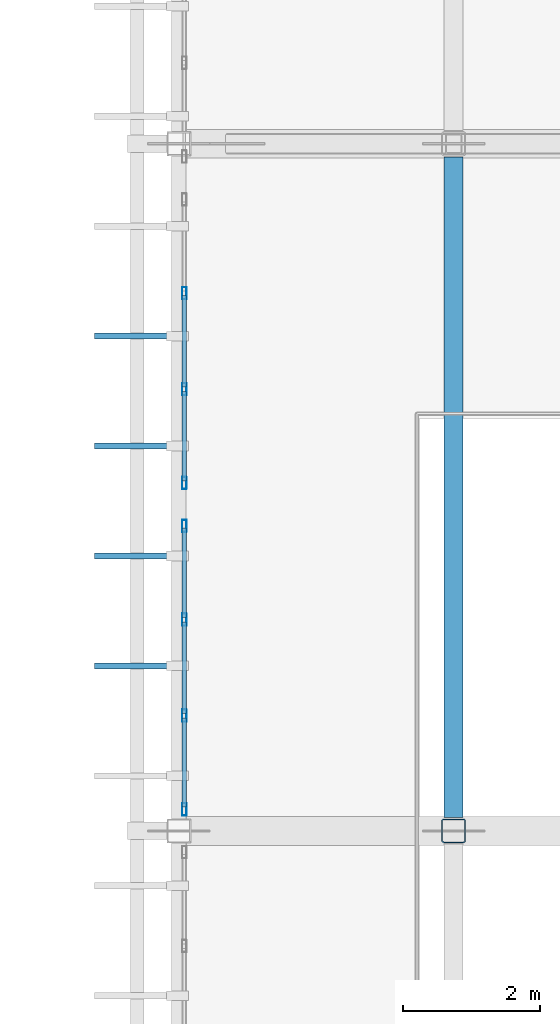
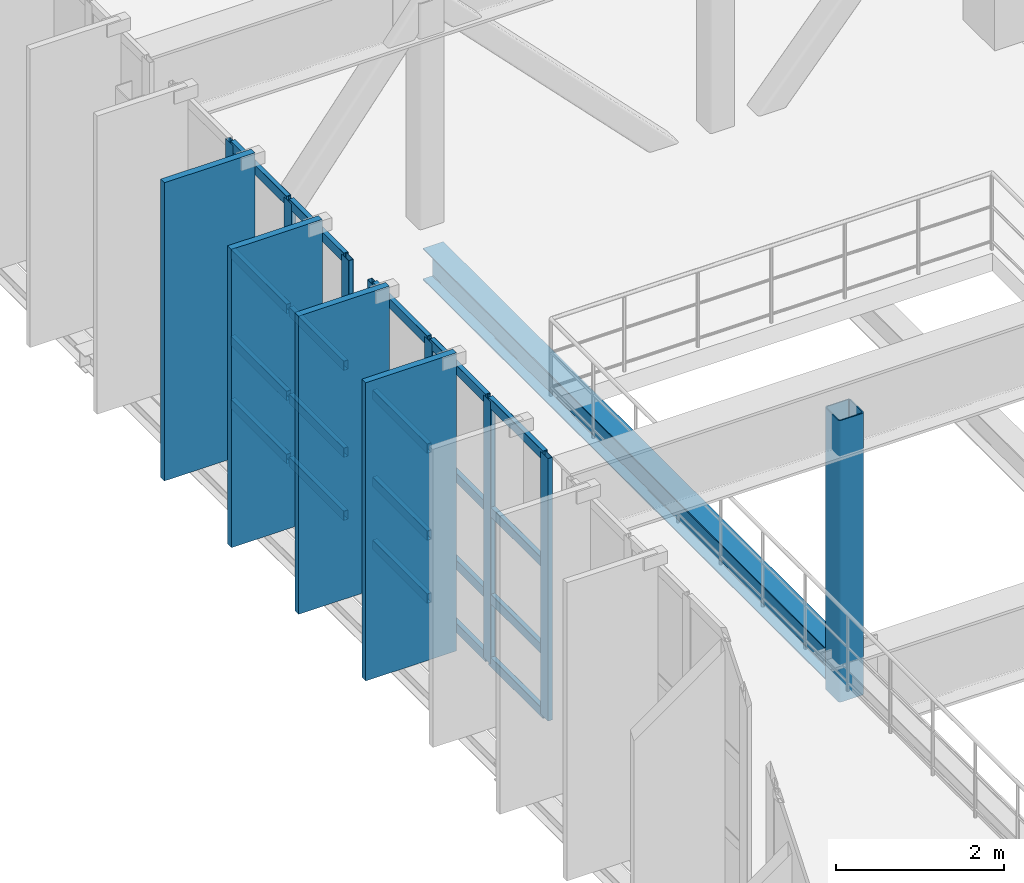
# One storey, part 37 of 130: 32 members, 1 beam, 2 elements without a shape of their own.
"""IFC4 building model written with IfcOpenShell, lengths in metres."""

from ifc_helpers import new_model, si_unit, direction, frame, origin, origin_2d, place, context, subcontext, project, spatial, rectangle, hollow_rectangle, i_section, extrude, material, material_profile, profile_set, type_object, element, aggregate, save


model = new_model("IFC4")

# Units and contexts
model_context = context("Model", 3, precision=1e-05, world=origin(), true_north=direction((0.0, 1.0)))
body_context = subcontext(model_context, "Body", "Model", "MODEL_VIEW")
ifc_project = project(units=[si_unit("LENGTHUNIT", "METRE"), si_unit("AREAUNIT", "SQUARE_METRE"), si_unit("VOLUMEUNIT", "CUBIC_METRE"), si_unit("PLANEANGLEUNIT", "RADIAN"), si_unit("MASSUNIT", "GRAM", prefix="KILO")], contexts=[model_context])

# Site, building, storey
site_placement = place(None, origin())
site = spatial("IfcSite", under=ifc_project, at=site_placement, CompositionType="ELEMENT")
building_placement = place(site_placement, origin())
building = spatial("IfcBuilding", under=site, at=building_placement, Name="Miravela Opera House", CompositionType="ELEMENT")
storey_placement = place(building_placement, frame((0.0, 0.0, 9.52001953125)))
storey = spatial("IfcBuildingStorey", under=building, at=storey_placement, Name="L02", CompositionType="ELEMENT", Elevation=9.52001953125)

# Curtain wall, members
ifc_material_1 = material(Name="Anodised architectural bronze aluminium 6063-T6", Category="aluminium")
curtain_wall_type = type_object("IfcCurtainWallType", Name="ARC-CW-02", PredefinedType="NOTDEFINED", material=ifc_material_1)
curtain_wall_1_placement = place(storey_placement, origin())
curtain_wall_1 = element("IfcCurtainWall", 1, at=curtain_wall_1_placement, inside=storey, type_object=curtain_wall_type, Name="Cantilever West Wrapper Glazing B5 CW-L02-011", PredefinedType="NOTDEFINED")
ifc_material_profile_1 = material_profile(ifc_material_1, hollow_rectangle(XDim=0.06494140625, YDim=0.179931640625, WallThickness=0.00390625, InnerFilletRadius=0.001953125, OuterFilletRadius=0.00390625, at=origin_2d()), Name="CWM-65X180")
ifc_profile_set_1 = profile_set([ifc_material_profile_1])
member_type_1 = type_object("IfcMemberType", Name="ARC-CWM-180", PredefinedType="MULLION", material=ifc_profile_set_1)
member_1_placement = place(storey_placement, frame((15.080078125, 56.3125, 0.0), z_axis=(0.0, 0.0, 1.0), x_axis=(-1.0, 0.0, 0.0)))
member_1 = element("IfcMember", 2, at=member_1_placement, type_object=member_type_1, Name="CW-02 mullion 1", PredefinedType="MULLION", context=body_context, shape_type="SweptSolid", body=[
    extrude(hollow_rectangle(XDim=0.06494140625, YDim=0.179931640625, WallThickness=0.00390625, InnerFilletRadius=0.001953125, OuterFilletRadius=0.00390625, at=origin_2d()), origin(), (0.0, 0.0, 1.0), 3.820068359375),
])
member_2_placement = place(storey_placement, frame((15.080078125, 57.6767578125, 0.0), z_axis=(0.0, 0.0, 1.0), x_axis=(-1.0, 0.0, 0.0)))
member_2 = element("IfcMember", 3, at=member_2_placement, type_object=member_type_1, Name="CW-02 mullion 2", PredefinedType="MULLION", context=body_context, shape_type="SweptSolid", body=[
    extrude(hollow_rectangle(XDim=0.06494140625, YDim=0.179931640625, WallThickness=0.00390625, InnerFilletRadius=0.001953125, OuterFilletRadius=0.00390625, at=origin_2d()), origin(), (0.0, 0.0, 1.0), 3.820068359375),
])
member_3_placement = place(storey_placement, frame((15.080078125, 59.0732421875, 0.0), z_axis=(0.0, 0.0, 1.0), x_axis=(-1.0, 0.0, 0.0)))
member_3 = element("IfcMember", 4, at=member_3_placement, type_object=member_type_1, Name="CW-02 mullion 3", PredefinedType="MULLION", context=body_context, shape_type="SweptSolid", body=[
    extrude(hollow_rectangle(XDim=0.06494140625, YDim=0.179931640625, WallThickness=0.00390625, InnerFilletRadius=0.001953125, OuterFilletRadius=0.00390625, at=origin_2d()), origin(), (0.0, 0.0, 1.0), 3.820068359375),
])
member_4_placement = place(storey_placement, frame((15.080078125, 60.4375, 0.0), z_axis=(0.0, 0.0, 1.0), x_axis=(-1.0, 0.0, 0.0)))
member_4 = element("IfcMember", 5, at=member_4_placement, type_object=member_type_1, Name="CW-02 mullion 4", PredefinedType="MULLION", context=body_context, shape_type="SweptSolid", body=[
    extrude(hollow_rectangle(XDim=0.06494140625, YDim=0.179931640625, WallThickness=0.00390625, InnerFilletRadius=0.001953125, OuterFilletRadius=0.00390625, at=origin_2d()), origin(), (0.0, 0.0, 1.0), 3.820068359375),
])

curtain_wall_2_placement = place(storey_placement, origin())
curtain_wall_2 = element("IfcCurtainWall", 6, at=curtain_wall_2_placement, inside=storey, type_object=curtain_wall_type, Name="Cantilever West Wrapper Glazing B6 CW-L02-012", PredefinedType="NOTDEFINED")
member_5_placement = place(storey_placement, frame((15.080078125, 61.0625, 0.0), z_axis=(0.0, 0.0, 1.0), x_axis=(-1.0, 0.0, 0.0)))
member_5 = element("IfcMember", 7, at=member_5_placement, type_object=member_type_1, Name="CW-02 mullion 1", PredefinedType="MULLION", context=body_context, shape_type="SweptSolid", body=[
    extrude(hollow_rectangle(XDim=0.06494140625, YDim=0.179931640625, WallThickness=0.00390625, InnerFilletRadius=0.001953125, OuterFilletRadius=0.00390625, at=origin_2d()), origin(), (0.0, 0.0, 1.0), 3.820068359375),
])
member_6_placement = place(storey_placement, frame((15.080078125, 62.4267578125, 0.0), z_axis=(0.0, 0.0, 1.0), x_axis=(-1.0, 0.0, 0.0)))
member_6 = element("IfcMember", 8, at=member_6_placement, type_object=member_type_1, Name="CW-02 mullion 2", PredefinedType="MULLION", context=body_context, shape_type="SweptSolid", body=[
    extrude(hollow_rectangle(XDim=0.06494140625, YDim=0.179931640625, WallThickness=0.00390625, InnerFilletRadius=0.001953125, OuterFilletRadius=0.00390625, at=origin_2d()), origin(), (0.0, 0.0, 1.0), 3.820068359375),
])
member_7_placement = place(storey_placement, frame((15.080078125, 63.8232421875, 0.0), z_axis=(0.0, 0.0, 1.0), x_axis=(-1.0, 0.0, 0.0)))
member_7 = element("IfcMember", 9, at=member_7_placement, type_object=member_type_1, Name="CW-02 mullion 3", PredefinedType="MULLION", context=body_context, shape_type="SweptSolid", body=[
    extrude(hollow_rectangle(XDim=0.06494140625, YDim=0.179931640625, WallThickness=0.00390625, InnerFilletRadius=0.001953125, OuterFilletRadius=0.00390625, at=origin_2d()), origin(), (0.0, 0.0, 1.0), 3.820068359375),
])

# Member
ifc_material_profile_2 = material_profile(ifc_material_1, hollow_rectangle(XDim=0.06494140625, YDim=0.139892578125, WallThickness=0.00390625, InnerFilletRadius=0.001953125, OuterFilletRadius=0.00390625, at=origin_2d()), Name="CWT-65X140")
ifc_profile_set_2 = profile_set([ifc_material_profile_2])
member_type_2 = type_object("IfcMemberType", Name="ARC-CWT-140", PredefinedType="USERDEFINED", material=ifc_profile_set_2)
member_8_placement = place(storey_placement, frame((15.080078125, 56.344970703125, 0.032470703125), z_axis=(0.0, 1.0, 0.0), x_axis=(-1.0, 0.0, 0.0)))
member_8 = element("IfcMember", 10, at=member_8_placement, type_object=member_type_2, Name="CW-02 transom 1.1", ObjectType="TRANSOM", PredefinedType="USERDEFINED", context=body_context, shape_type="SweptSolid", body=[
    extrude(hollow_rectangle(XDim=0.06494140625, YDim=0.139892578125, WallThickness=0.00390625, InnerFilletRadius=0.001953125, OuterFilletRadius=0.00390625, at=origin_2d()), origin(), (0.0, 0.0, 1.0), 1.29931640625),
])

member_9_placement = place(storey_placement, frame((15.080078125, 56.344970703125, 0.949951171875), z_axis=(0.0, 1.0, 0.0), x_axis=(-1.0, 0.0, 0.0)))
member_9 = element("IfcMember", 11, at=member_9_placement, type_object=member_type_2, Name="CW-02 transom 1.2", ObjectType="TRANSOM", PredefinedType="USERDEFINED", context=body_context, shape_type="SweptSolid", body=[
    extrude(hollow_rectangle(XDim=0.06494140625, YDim=0.139892578125, WallThickness=0.00390625, InnerFilletRadius=0.001953125, OuterFilletRadius=0.00390625, at=origin_2d()), origin(), (0.0, 0.0, 1.0), 1.29931640625),
])

member_10_placement = place(storey_placement, frame((15.080078125, 56.344970703125, 2.215576171875), z_axis=(0.0, 1.0, 0.0), x_axis=(-1.0, 0.0, 0.0)))
member_10 = element("IfcMember", 12, at=member_10_placement, type_object=member_type_2, Name="CW-02 transom 1.3", ObjectType="TRANSOM", PredefinedType="USERDEFINED", context=body_context, shape_type="SweptSolid", body=[
    extrude(hollow_rectangle(XDim=0.06494140625, YDim=0.139892578125, WallThickness=0.00390625, InnerFilletRadius=0.001953125, OuterFilletRadius=0.00390625, at=origin_2d()), origin(), (0.0, 0.0, 1.0), 1.29931640625),
])

member_11_placement = place(storey_placement, frame((15.080078125, 56.344970703125, 3.78759765625), z_axis=(0.0, 1.0, 0.0), x_axis=(-1.0, 0.0, 0.0)))
member_11 = element("IfcMember", 13, at=member_11_placement, type_object=member_type_2, Name="CW-02 transom 1.4", ObjectType="TRANSOM", PredefinedType="USERDEFINED", context=body_context, shape_type="SweptSolid", body=[
    extrude(hollow_rectangle(XDim=0.06494140625, YDim=0.139892578125, WallThickness=0.00390625, InnerFilletRadius=0.001953125, OuterFilletRadius=0.00390625, at=origin_2d()), origin(), (0.0, 0.0, 1.0), 1.29931640625),
])

member_12_placement = place(storey_placement, frame((15.080078125, 57.709228515625, 0.032470703125), z_axis=(0.0, 1.0, 0.0), x_axis=(-1.0, 0.0, 0.0)))
member_12 = element("IfcMember", 14, at=member_12_placement, type_object=member_type_2, Name="CW-02 transom 2.1", ObjectType="TRANSOM", PredefinedType="USERDEFINED", context=body_context, shape_type="SweptSolid", body=[
    extrude(hollow_rectangle(XDim=0.06494140625, YDim=0.139892578125, WallThickness=0.00390625, InnerFilletRadius=0.001953125, OuterFilletRadius=0.00390625, at=origin_2d()), origin(), (0.0, 0.0, 1.0), 1.33154296875),
])

member_13_placement = place(storey_placement, frame((15.080078125, 57.709228515625, 0.949951171875), z_axis=(0.0, 1.0, 0.0), x_axis=(-1.0, 0.0, 0.0)))
member_13 = element("IfcMember", 15, at=member_13_placement, type_object=member_type_2, Name="CW-02 transom 2.2", ObjectType="TRANSOM", PredefinedType="USERDEFINED", context=body_context, shape_type="SweptSolid", body=[
    extrude(hollow_rectangle(XDim=0.06494140625, YDim=0.139892578125, WallThickness=0.00390625, InnerFilletRadius=0.001953125, OuterFilletRadius=0.00390625, at=origin_2d()), origin(), (0.0, 0.0, 1.0), 1.33154296875),
])

member_14_placement = place(storey_placement, frame((15.080078125, 57.709228515625, 2.215576171875), z_axis=(0.0, 1.0, 0.0), x_axis=(-1.0, 0.0, 0.0)))
member_14 = element("IfcMember", 16, at=member_14_placement, type_object=member_type_2, Name="CW-02 transom 2.3", ObjectType="TRANSOM", PredefinedType="USERDEFINED", context=body_context, shape_type="SweptSolid", body=[
    extrude(hollow_rectangle(XDim=0.06494140625, YDim=0.139892578125, WallThickness=0.00390625, InnerFilletRadius=0.001953125, OuterFilletRadius=0.00390625, at=origin_2d()), origin(), (0.0, 0.0, 1.0), 1.33154296875),
])

member_15_placement = place(storey_placement, frame((15.080078125, 57.709228515625, 3.78759765625), z_axis=(0.0, 1.0, 0.0), x_axis=(-1.0, 0.0, 0.0)))
member_15 = element("IfcMember", 17, at=member_15_placement, type_object=member_type_2, Name="CW-02 transom 2.4", ObjectType="TRANSOM", PredefinedType="USERDEFINED", context=body_context, shape_type="SweptSolid", body=[
    extrude(hollow_rectangle(XDim=0.06494140625, YDim=0.139892578125, WallThickness=0.00390625, InnerFilletRadius=0.001953125, OuterFilletRadius=0.00390625, at=origin_2d()), origin(), (0.0, 0.0, 1.0), 1.33154296875),
])

member_16_placement = place(storey_placement, frame((15.080078125, 59.105712890625, 0.032470703125), z_axis=(0.0, 1.0, 0.0), x_axis=(-1.0, 0.0, 0.0)))
member_16 = element("IfcMember", 18, at=member_16_placement, type_object=member_type_2, Name="CW-02 transom 3.1", ObjectType="TRANSOM", PredefinedType="USERDEFINED", context=body_context, shape_type="SweptSolid", body=[
    extrude(hollow_rectangle(XDim=0.06494140625, YDim=0.139892578125, WallThickness=0.00390625, InnerFilletRadius=0.001953125, OuterFilletRadius=0.00390625, at=origin_2d()), origin(), (0.0, 0.0, 1.0), 1.29931640625),
])

member_17_placement = place(storey_placement, frame((15.080078125, 59.105712890625, 0.949951171875), z_axis=(0.0, 1.0, 0.0), x_axis=(-1.0, 0.0, 0.0)))
member_17 = element("IfcMember", 19, at=member_17_placement, type_object=member_type_2, Name="CW-02 transom 3.2", ObjectType="TRANSOM", PredefinedType="USERDEFINED", context=body_context, shape_type="SweptSolid", body=[
    extrude(hollow_rectangle(XDim=0.06494140625, YDim=0.139892578125, WallThickness=0.00390625, InnerFilletRadius=0.001953125, OuterFilletRadius=0.00390625, at=origin_2d()), origin(), (0.0, 0.0, 1.0), 1.29931640625),
])

member_18_placement = place(storey_placement, frame((15.080078125, 59.105712890625, 2.215576171875), z_axis=(0.0, 1.0, 0.0), x_axis=(-1.0, 0.0, 0.0)))
member_18 = element("IfcMember", 20, at=member_18_placement, type_object=member_type_2, Name="CW-02 transom 3.3", ObjectType="TRANSOM", PredefinedType="USERDEFINED", context=body_context, shape_type="SweptSolid", body=[
    extrude(hollow_rectangle(XDim=0.06494140625, YDim=0.139892578125, WallThickness=0.00390625, InnerFilletRadius=0.001953125, OuterFilletRadius=0.00390625, at=origin_2d()), origin(), (0.0, 0.0, 1.0), 1.29931640625),
])

member_19_placement = place(storey_placement, frame((15.080078125, 59.105712890625, 3.78759765625), z_axis=(0.0, 1.0, 0.0), x_axis=(-1.0, 0.0, 0.0)))
member_19 = element("IfcMember", 21, at=member_19_placement, type_object=member_type_2, Name="CW-02 transom 3.4", ObjectType="TRANSOM", PredefinedType="USERDEFINED", context=body_context, shape_type="SweptSolid", body=[
    extrude(hollow_rectangle(XDim=0.06494140625, YDim=0.139892578125, WallThickness=0.00390625, InnerFilletRadius=0.001953125, OuterFilletRadius=0.00390625, at=origin_2d()), origin(), (0.0, 0.0, 1.0), 1.29931640625),
])

aggregate(curtain_wall_1, [member_1, member_2, member_3, member_4, member_8, member_9, member_10, member_11, member_12, member_13, member_14, member_15, member_16, member_17, member_18, member_19])

member_20_placement = place(storey_placement, frame((15.080078125, 61.094970703125, 0.032470703125), z_axis=(0.0, 1.0, 0.0), x_axis=(-1.0, 0.0, 0.0)))
member_20 = element("IfcMember", 22, at=member_20_placement, type_object=member_type_2, Name="CW-02 transom 1.1", ObjectType="TRANSOM", PredefinedType="USERDEFINED", context=body_context, shape_type="SweptSolid", body=[
    extrude(hollow_rectangle(XDim=0.06494140625, YDim=0.139892578125, WallThickness=0.00390625, InnerFilletRadius=0.001953125, OuterFilletRadius=0.00390625, at=origin_2d()), origin(), (0.0, 0.0, 1.0), 1.29931640625),
])

member_21_placement = place(storey_placement, frame((15.080078125, 61.094970703125, 0.949951171875), z_axis=(0.0, 1.0, 0.0), x_axis=(-1.0, 0.0, 0.0)))
member_21 = element("IfcMember", 23, at=member_21_placement, type_object=member_type_2, Name="CW-02 transom 1.2", ObjectType="TRANSOM", PredefinedType="USERDEFINED", context=body_context, shape_type="SweptSolid", body=[
    extrude(hollow_rectangle(XDim=0.06494140625, YDim=0.139892578125, WallThickness=0.00390625, InnerFilletRadius=0.001953125, OuterFilletRadius=0.00390625, at=origin_2d()), origin(), (0.0, 0.0, 1.0), 1.29931640625),
])

member_22_placement = place(storey_placement, frame((15.080078125, 61.094970703125, 2.215576171875), z_axis=(0.0, 1.0, 0.0), x_axis=(-1.0, 0.0, 0.0)))
member_22 = element("IfcMember", 24, at=member_22_placement, type_object=member_type_2, Name="CW-02 transom 1.3", ObjectType="TRANSOM", PredefinedType="USERDEFINED", context=body_context, shape_type="SweptSolid", body=[
    extrude(hollow_rectangle(XDim=0.06494140625, YDim=0.139892578125, WallThickness=0.00390625, InnerFilletRadius=0.001953125, OuterFilletRadius=0.00390625, at=origin_2d()), origin(), (0.0, 0.0, 1.0), 1.29931640625),
])

member_23_placement = place(storey_placement, frame((15.080078125, 61.094970703125, 3.78759765625), z_axis=(0.0, 1.0, 0.0), x_axis=(-1.0, 0.0, 0.0)))
member_23 = element("IfcMember", 25, at=member_23_placement, type_object=member_type_2, Name="CW-02 transom 1.4", ObjectType="TRANSOM", PredefinedType="USERDEFINED", context=body_context, shape_type="SweptSolid", body=[
    extrude(hollow_rectangle(XDim=0.06494140625, YDim=0.139892578125, WallThickness=0.00390625, InnerFilletRadius=0.001953125, OuterFilletRadius=0.00390625, at=origin_2d()), origin(), (0.0, 0.0, 1.0), 1.29931640625),
])

member_24_placement = place(storey_placement, frame((15.080078125, 62.459228515625, 0.032470703125), z_axis=(0.0, 1.0, 0.0), x_axis=(-1.0, 0.0, 0.0)))
member_24 = element("IfcMember", 26, at=member_24_placement, type_object=member_type_2, Name="CW-02 transom 2.1", ObjectType="TRANSOM", PredefinedType="USERDEFINED", context=body_context, shape_type="SweptSolid", body=[
    extrude(hollow_rectangle(XDim=0.06494140625, YDim=0.139892578125, WallThickness=0.00390625, InnerFilletRadius=0.001953125, OuterFilletRadius=0.00390625, at=origin_2d()), origin(), (0.0, 0.0, 1.0), 1.33154296875),
])

member_25_placement = place(storey_placement, frame((15.080078125, 62.459228515625, 0.949951171875), z_axis=(0.0, 1.0, 0.0), x_axis=(-1.0, 0.0, 0.0)))
member_25 = element("IfcMember", 27, at=member_25_placement, type_object=member_type_2, Name="CW-02 transom 2.2", ObjectType="TRANSOM", PredefinedType="USERDEFINED", context=body_context, shape_type="SweptSolid", body=[
    extrude(hollow_rectangle(XDim=0.06494140625, YDim=0.139892578125, WallThickness=0.00390625, InnerFilletRadius=0.001953125, OuterFilletRadius=0.00390625, at=origin_2d()), origin(), (0.0, 0.0, 1.0), 1.33154296875),
])

member_26_placement = place(storey_placement, frame((15.080078125, 62.459228515625, 2.215576171875), z_axis=(0.0, 1.0, 0.0), x_axis=(-1.0, 0.0, 0.0)))
member_26 = element("IfcMember", 28, at=member_26_placement, type_object=member_type_2, Name="CW-02 transom 2.3", ObjectType="TRANSOM", PredefinedType="USERDEFINED", context=body_context, shape_type="SweptSolid", body=[
    extrude(hollow_rectangle(XDim=0.06494140625, YDim=0.139892578125, WallThickness=0.00390625, InnerFilletRadius=0.001953125, OuterFilletRadius=0.00390625, at=origin_2d()), origin(), (0.0, 0.0, 1.0), 1.33154296875),
])

member_27_placement = place(storey_placement, frame((15.080078125, 62.459228515625, 3.78759765625), z_axis=(0.0, 1.0, 0.0), x_axis=(-1.0, 0.0, 0.0)))
member_27 = element("IfcMember", 29, at=member_27_placement, type_object=member_type_2, Name="CW-02 transom 2.4", ObjectType="TRANSOM", PredefinedType="USERDEFINED", context=body_context, shape_type="SweptSolid", body=[
    extrude(hollow_rectangle(XDim=0.06494140625, YDim=0.139892578125, WallThickness=0.00390625, InnerFilletRadius=0.001953125, OuterFilletRadius=0.00390625, at=origin_2d()), origin(), (0.0, 0.0, 1.0), 1.33154296875),
])

aggregate(curtain_wall_2, [member_5, member_6, member_7, member_20, member_21, member_22, member_23, member_24, member_25, member_26, member_27])

# Members
ifc_material_profile_3 = material_profile(ifc_material_1, rectangle(XDim=0.090087890625, YDim=1.25, at=origin_2d()), Name="FIN-1250X90")
ifc_profile_set_3 = profile_set([ifc_material_profile_3])
member_type_3 = type_object("IfcMemberType", Name="ARC-FIN-1250", PredefinedType="USERDEFINED", material=ifc_profile_set_3)
for number, where, z_axis, x_axis, name in (
    (30, (14.39501953125, 58.39990234375, -0.260009765625), (0.0, 0.0, 1.0), (0.0, 1.0, 0.0), "Auditorium Wrapper Bronze Solar Fin FIN-L02-WEST-0014"),
    (31, (14.39501953125, 60.0, -0.260009765625), (0.0, 0.0, 1.0), (0.0, 1.0, 0.0), "Auditorium Wrapper Bronze Solar Fin FIN-L02-WEST-0015"),
    (32, (14.39501953125, 61.60009765625, -0.260009765625), (0.0, 0.0, 1.0), (0.0, 1.0, 0.0), "Auditorium Wrapper Bronze Solar Fin FIN-L02-WEST-0016"),
    (33, (14.39501953125, 63.199951171875, -0.260009765625), (0.0, 0.0, 1.0), (0.0, 1.0, 0.0), "Auditorium Wrapper Bronze Solar Fin FIN-L02-WEST-0017"),
):
    element("IfcMember", number, at=place(storey_placement, frame(where, z_axis=z_axis, x_axis=x_axis)), inside=storey, type_object=member_type_3, Name=name, ObjectType="FIN", PredefinedType="USERDEFINED", context=body_context, shape_type="SweptSolid", body=[
        extrude(rectangle(XDim=0.090087890625, YDim=1.25, at=origin_2d()), origin(), (0.0, 0.0, 1.0), 4.340087890625),
    ])

# Beam
ifc_material_2 = material(Name="Structural steel ASTM A992 Gr. 50", Category="steel")
ifc_material_profile_4 = material_profile(ifc_material_2, i_section(OverallWidth=0.280029296875, OverallDepth=0.462890625, WebThickness=0.0107421875, FlangeThickness=0.017333984375, FilletRadius=0.014892578125, at=origin_2d()), Name="W460X113")
ifc_profile_set_4 = profile_set([ifc_material_profile_4])
beam_type = type_object("IfcBeamType", Name="STR-BM-W460X113", PredefinedType="BEAM", material=ifc_profile_set_4)
beam_placement = place(storey_placement, frame((19.0, 56.195068359375, -0.491455078125), z_axis=(0.0, 1.0, 0.0), x_axis=(-1.0, 0.0, 0.0)))
element("IfcBeam", 34, at=beam_placement, inside=storey, type_object=beam_type, Name="Cantilever Overhang Beam L02 X=19", PredefinedType="BEAM", context=body_context, shape_type="SweptSolid", body=[
    extrude(i_section(OverallWidth=0.280029296875, OverallDepth=0.462890625, WebThickness=0.0107421875, FlangeThickness=0.017333984375, FilletRadius=0.014892578125, at=origin_2d()), origin(), (0.0, 0.0, 1.0), 9.60986328125),
])

# Member
ifc_material_3 = material(Name="Hollow structural steel ASTM A500 Gr. C", Category="steel")
ifc_material_profile_5 = material_profile(ifc_material_3, hollow_rectangle(XDim=0.35009765625, YDim=0.35009765625, WallThickness=0.01611328125, InnerFilletRadius=0.01611328125, OuterFilletRadius=0.031982421875, at=origin_2d()), Name="HSS350X350X16")
ifc_profile_set_5 = profile_set([ifc_material_profile_5])
member_type_4 = type_object("IfcMemberType", Name="STR-MEM-CANT-POST", PredefinedType="POST", material=ifc_profile_set_5)
member_28_placement = place(storey_placement, frame((19.0, 56.0, -0.81298828125), z_axis=(0.0, 0.0, 1.0), x_axis=(1.0, 0.0, 0.0)))
element("IfcMember", 35, at=member_28_placement, inside=storey, type_object=member_type_4, Name="Cantilever Truss CT-03 Post X=19.0", PredefinedType="POST", context=body_context, shape_type="SweptSolid", body=[
    extrude(hollow_rectangle(XDim=0.35009765625, YDim=0.35009765625, WallThickness=0.01611328125, InnerFilletRadius=0.01611328125, OuterFilletRadius=0.031982421875, at=origin_2d()), origin(), (0.0, 0.0, 1.0), 4.099853515625),
])

save(model, "model.ifc")
